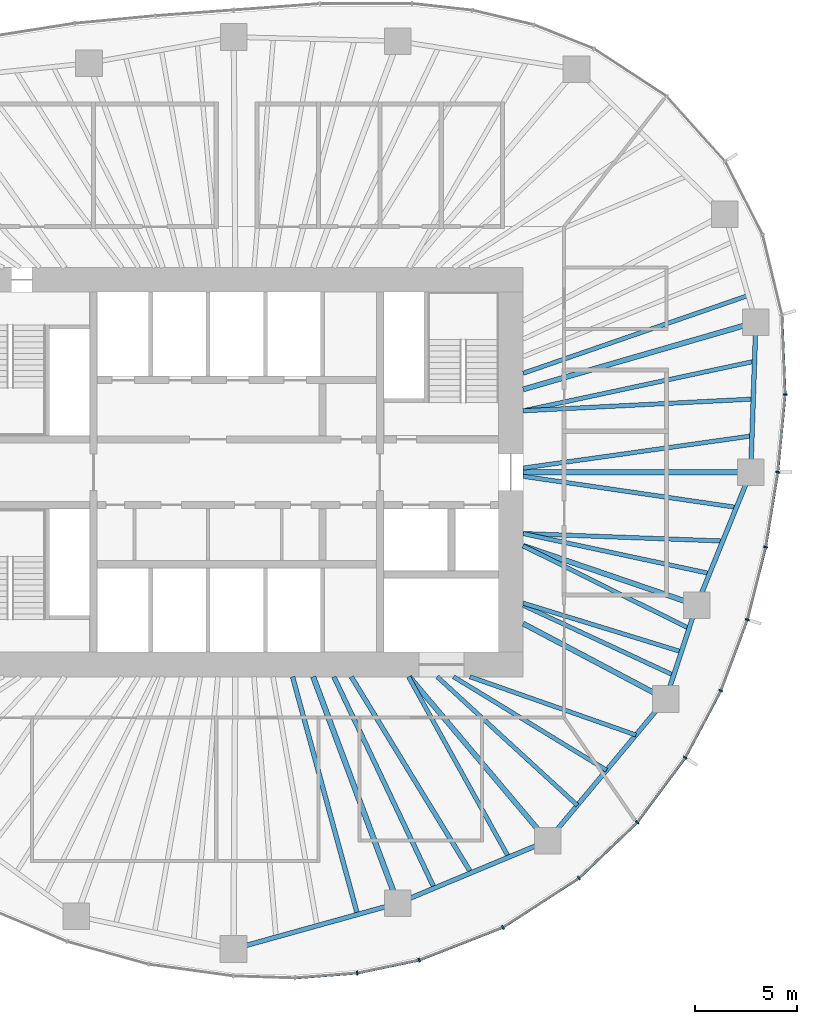
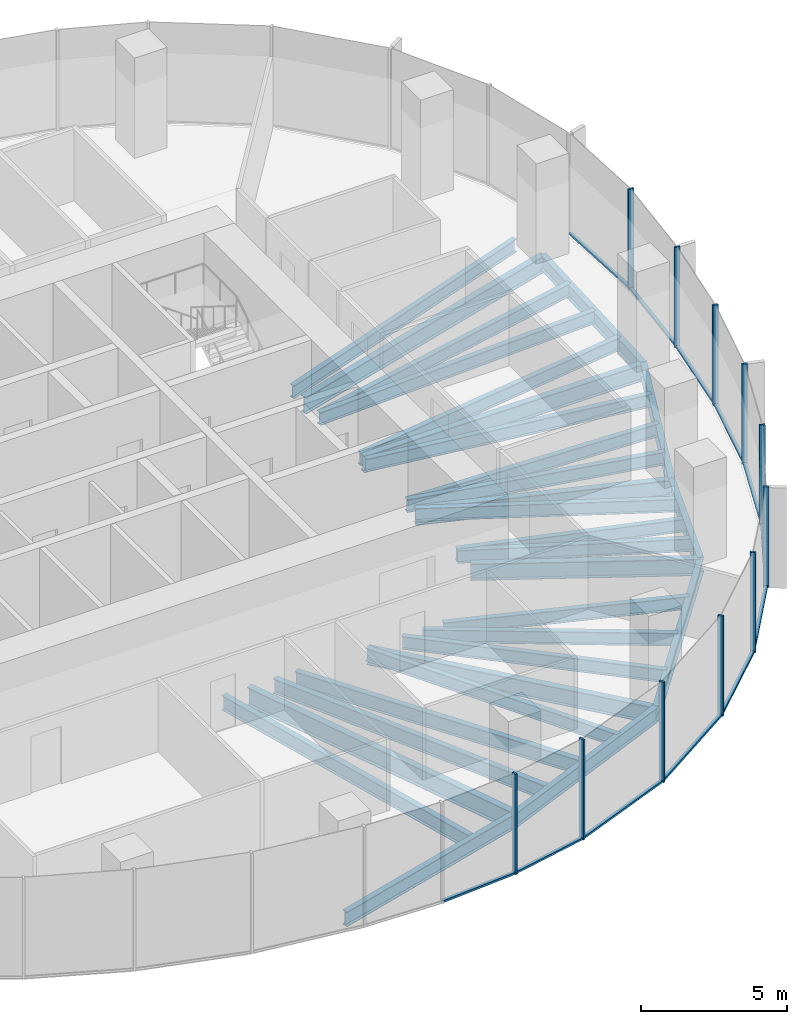
# One storey, part 4 of 11: 29 beams, 23 members, 6 elements without a shape of their own.
"""IFC4 building model written with IfcOpenShell, lengths in metres."""

import ifcopenshell
import ifcopenshell.guid

model = None  # the IFC model being written
_history = None  # IfcOwnerHistory: only IFC2X3 demands one
_inside = {}  # id of a spatial element -> (the spatial element, [elements in it])
_under = {}  # id of a project, library or spatial element -> (it, [spatial elements below it])
_declared = {}  # id of a project -> (the project, [libraries it declares])
_typed = {}  # id of a type object -> (the type object, [elements of that type])
_made_of = {}  # id of a material, layer set ... -> (it, [elements and type objects made of it])


def new_model(schema):
    """Start an empty IFC model of exactly this schema.

    Asked for "IFC4X3", IfcOpenShell would pick the latest addendum, in which some entities
    have other attributes; the version numbers below select the first issue.
    IFC2X3 requires an IfcOwnerHistory on every rooted entity: one is made here for all.
    """
    global model, _history
    if schema == "IFC4X3":
        model = ifcopenshell.file(schema_version=(4, 3, 0, 0))
    else:
        model = ifcopenshell.file(schema=schema)
    _inside.clear()
    _under.clear()
    _declared.clear()
    _typed.clear()
    _made_of.clear()
    _history = None
    if model.schema == "IFC2X3":
        org = make("IfcOrganization", Name="unknown")
        user = make(
            "IfcPersonAndOrganization",
            ThePerson=make("IfcPerson", FamilyName="unknown"),
            TheOrganization=org,
        )
        app = make(
            "IfcApplication",
            ApplicationDeveloper=org,
            Version="unknown",
            ApplicationFullName="unknown",
            ApplicationIdentifier="unknown",
        )
        _history = make(
            "IfcOwnerHistory",
            OwningUser=user,
            OwningApplication=app,
            ChangeAction="ADDED",
            CreationDate=0,
        )
    return model


def make(cls, **values):
    """One entity of the class cls with the attributes given. An attribute that is None is left unset."""
    return model.create_entity(
        cls, **{name: value for name, value in values.items() if value is not None}
    )


def rooted(cls, **values):
    """An entity with a GlobalId (a new one), such as an element, a storey or a relation."""
    return make(cls, GlobalId=ifcopenshell.guid.new(), OwnerHistory=_history, **values)


def si_unit(unit_type, name, prefix=None):
    """IfcSIUnit, for example si_unit("LENGTHUNIT", "METRE", prefix="MILLI")."""
    return make("IfcSIUnit", UnitType=unit_type, Prefix=prefix, Name=name)


def assignment(units):
    """IfcUnitAssignment: the units of a project."""
    return None if units is None else make("IfcUnitAssignment", Units=units)


def point(xyz):
    """IfcCartesianPoint."""
    return None if xyz is None else make("IfcCartesianPoint", Coordinates=xyz)


def direction(xyz):
    """IfcDirection."""
    return None if xyz is None else make("IfcDirection", DirectionRatios=xyz)


def frame(location, z_axis=None, x_axis=None):
    """IfcAxis2Placement3D, a coordinate frame: its origin and axes. An axis left out is left unset."""
    return make(
        "IfcAxis2Placement3D",
        Location=point(location),
        Axis=direction(z_axis),
        RefDirection=direction(x_axis),
    )


def frame_2d(location, x_axis=None):
    """IfcAxis2Placement2D, a coordinate frame in the plane: its origin and x axis."""
    return make(
        "IfcAxis2Placement2D", Location=point(location), RefDirection=direction(x_axis)
    )


def origin():
    """The frame at (0, 0, 0) with its axes left unset."""
    return frame((0.0, 0.0, 0.0))


def origin_2d():
    """The frame at (0, 0) in the plane with its x axis left unset."""
    return frame_2d((0.0, 0.0))


def place(relative_to, where):
    """IfcLocalPlacement: puts the frame where relative to a parent placement (None: the world)."""
    return make(
        "IfcLocalPlacement", PlacementRelTo=relative_to, RelativePlacement=where
    )


def context(
    kind, dimensions, precision=None, world=None, true_north=None, identifier=None
):
    """IfcGeometricRepresentationContext, for example the 3D "Model" context."""
    return make(
        "IfcGeometricRepresentationContext",
        ContextIdentifier=identifier,
        ContextType=kind,
        CoordinateSpaceDimension=dimensions,
        Precision=precision,
        WorldCoordinateSystem=world,
        TrueNorth=true_north,
    )


def subcontext(parent, identifier, kind, view, scale=None):
    """IfcGeometricRepresentationSubContext, for example "Body" below "Model"."""
    return make(
        "IfcGeometricRepresentationSubContext",
        ContextIdentifier=identifier,
        ContextType=kind,
        ParentContext=parent,
        TargetScale=scale,
        TargetView=view,
    )


def project(units=None, contexts=None):
    """IfcProject with its units and contexts."""
    return rooted(
        "IfcProject",
        Name="project",
        RepresentationContexts=contexts,
        UnitsInContext=assignment(units),
    )


def spatial(cls, under=None, at=None, **own):
    """A site, building, storey or space (cls), placed at a placement, below another one or the project."""
    s = rooted(cls, ObjectPlacement=at, **own)
    if under is not None:
        _under.setdefault(under.id(), (under, []))[1].append(s)
    return s


def profile(cls, at=None, kind="AREA", **sizes):
    """A parametric profile (cls). Its sizes go by their IFC names, for example OverallWidth=200.0."""
    return make(cls, ProfileType=kind, Position=at, **sizes)


def rectangle(**sizes):
    """IfcRectangleProfileDef."""
    return profile("IfcRectangleProfileDef", **sizes)


def i_section(**sizes):
    """IfcIShapeProfileDef."""
    return profile("IfcIShapeProfileDef", **sizes)


def extrude(swept, where, along, depth):
    """IfcExtrudedAreaSolid: the profile swept, set in the frame where, extruded along a direction by depth."""
    return make(
        "IfcExtrudedAreaSolid",
        SweptArea=swept,
        Position=where,
        ExtrudedDirection=direction(along),
        Depth=depth,
    )


def shape(context_of_items, identifier, shape_type, items):
    """IfcShapeRepresentation: the items that make up one representation, for example the "Body"."""
    return make(
        "IfcShapeRepresentation",
        ContextOfItems=context_of_items,
        RepresentationIdentifier=identifier,
        RepresentationType=shape_type,
        Items=items,
    )


def material(Name=None, Category=None):
    """IfcMaterial."""
    return make("IfcMaterial", Name=Name, Category=Category)


def material_profile(
    of_material, cross_section, Name=None, Category=None, Priority=None
):
    """IfcMaterialProfile: a cross section and its material."""
    return make(
        "IfcMaterialProfile",
        Name=Name,
        Material=of_material,
        Profile=cross_section,
        Priority=Priority,
        Category=Category,
    )


def profile_set(profiles, Name=None, composite=None):
    """IfcMaterialProfileSet."""
    return make(
        "IfcMaterialProfileSet",
        Name=Name,
        MaterialProfiles=profiles,
        CompositeProfile=composite,
    )


def made_of(thing, what):
    """Note that an element or type object is made of a material, layer set ...; save() writes the relation."""
    if what is not None:
        _made_of.setdefault(what.id(), (what, []))[1].append(thing)
    return thing


def type_object(cls, material=None, **own):
    """A type object (cls), such as IfcWallType, which elements share."""
    return made_of(rooted(cls, **own), material)


def element(
    cls,
    number,
    at=None,
    inside=None,
    cuts=None,
    type_object=None,
    material=None,
    context=None,
    identifier="Body",
    shape_type=None,
    held_by="IfcProductDefinitionShape",
    body=None,
    shapes=None,
    **own,
):
    """One element of the class cls, such as IfcWall. Its Tag is "e" and its number.

    at: its placement. inside: the storey or other place that contains it. cuts: it is an
    opening in that element (IfcRelVoidsElement). A single representation is given by context,
    identifier, shape_type and body (its items); several are given by shapes. held_by: the class
    of the entity that holds the representations. save() writes the other relations.
    """
    e = rooted(cls, Tag="e%d" % number, ObjectPlacement=at, **own)
    if body is not None:
        shapes = [shape(context, identifier, shape_type, body)]
    if shapes is not None:
        e.Representation = make(held_by, Representations=shapes)
    if inside is not None:
        _inside.setdefault(inside.id(), (inside, []))[1].append(e)
    if cuts is not None:
        rooted(
            "IfcRelVoidsElement", RelatingBuildingElement=cuts, RelatedOpeningElement=e
        )
    if type_object is not None:
        _typed.setdefault(type_object.id(), (type_object, []))[1].append(e)
    return made_of(e, material)


def aggregate(whole, parts):
    """IfcRelAggregates: a whole, such as a stair, and the parts it consists of."""
    return rooted("IfcRelAggregates", RelatingObject=whole, RelatedObjects=parts)


def save(model, path):
    """Write the relations noted so far, then the file.

    IfcRelAggregates (storeys below a building ...), IfcRelContainedInSpatialStructure (elements
    in a storey), IfcRelDefinesByType, IfcRelAssociatesMaterial and IfcRelDeclares: one each for
    every whole, place, type object, material and project.
    """
    for whole, parts in _under.values():
        aggregate(whole, parts)
    for where, things in _inside.values():
        rooted(
            "IfcRelContainedInSpatialStructure",
            RelatedElements=things,
            RelatingStructure=where,
        )
    for kind, things in _typed.values():
        rooted("IfcRelDefinesByType", RelatedObjects=things, RelatingType=kind)
    for what, things in _made_of.values():
        rooted("IfcRelAssociatesMaterial", RelatedObjects=things, RelatingMaterial=what)
    for by, libraries in _declared.values():
        rooted("IfcRelDeclares", RelatingContext=by, RelatedDefinitions=libraries)
    model.write(path)


model = new_model("IFC4")

# Units and contexts
model_context = context("Model", 3, precision=1e-05, world=origin(), true_north=direction((0.0, 1.0)))
body_context = subcontext(model_context, "Body", "Model", "MODEL_VIEW")
ifc_project = project(units=[si_unit("LENGTHUNIT", "METRE"), si_unit("AREAUNIT", "SQUARE_METRE"), si_unit("VOLUMEUNIT", "CUBIC_METRE"), si_unit("PLANEANGLEUNIT", "RADIAN"), si_unit("MASSUNIT", "GRAM", prefix="KILO")], contexts=[model_context])

# Site, building, storey
site_placement = place(None, origin())
site = spatial("IfcSite", under=ifc_project, at=site_placement, CompositionType="ELEMENT")
building_placement = place(site_placement, origin())
building = spatial("IfcBuilding", under=site, at=building_placement, Name="Ghaith Harvest Tower", CompositionType="ELEMENT")
storey_placement = place(building_placement, frame((0.0, 0.0, 220.0)))
storey = spatial("IfcBuildingStorey", under=building, at=storey_placement, Name="L48", CompositionType="ELEMENT", Elevation=220.0)

# Curtain wall, members
ifc_material_1 = material(Name="Black anodised aluminium and fritted glass", Category="aluminium")
curtain_wall_type = type_object("IfcCurtainWallType", Name="CW-H CURTAIN WALL", PredefinedType="NOTDEFINED", material=ifc_material_1)
curtain_wall_1_placement = place(storey_placement, origin())
curtain_wall_1 = element("IfcCurtainWall", 1, at=curtain_wall_1_placement, inside=storey, type_object=curtain_wall_type, Name="Curtain wall CW-H bay 01 L48", PredefinedType="NOTDEFINED")
ifc_material_2 = material(Name="Aluminium, black anodised", Category="aluminium")
ifc_material_profile_1 = material_profile(ifc_material_2, rectangle(XDim=0.080078125, YDim=0.199951171875, at=origin_2d()), Name="CW-H MULLION 80x200")
ifc_profile_set_1 = profile_set([ifc_material_profile_1], Name="Aluminium, black anodised")
member_type_1 = type_object("IfcMemberType", Name="CW-H MULLION 80x200", PredefinedType="MULLION", material=ifc_profile_set_1)
member_1_placement = place(storey_placement, frame((26.445068359375, 0.0, 0.0), z_axis=(0.0, 0.0, 1.0), x_axis=(0.126567624553, 0.991957981174, 0.0)))
member_1 = element("IfcMember", 2, at=member_1_placement, type_object=member_type_1, Name="CW-H mullion 1 bay 01 L48", PredefinedType="MULLION", context=body_context, shape_type="SweptSolid", body=[
    extrude(rectangle(XDim=0.080078125, YDim=0.199951171875, at=origin_2d()), origin(), (0.0, 0.0, 1.0), 4.199951171875),
])
member_2_placement = place(storey_placement, frame((26.804443359375, 3.7958984375, 0.0), z_axis=(0.0, 0.0, 1.0), x_axis=(0.026142797814, 0.999658218654, 0.0)))
member_2 = element("IfcMember", 3, at=member_2_placement, type_object=member_type_1, Name="CW-H mullion 2 bay 01 L48", PredefinedType="MULLION", context=body_context, shape_type="SweptSolid", body=[
    extrude(rectangle(XDim=0.080078125, YDim=0.199951171875, at=origin_2d()), origin(), (0.0, 0.0, 1.0), 4.199951171875),
])

# Curtain wall, member
curtain_wall_2_placement = place(storey_placement, origin())
curtain_wall_2 = element("IfcCurtainWall", 4, at=curtain_wall_2_placement, inside=storey, type_object=curtain_wall_type, Name="Curtain wall CW-H bay 16 L48", PredefinedType="NOTDEFINED")
member_3_placement = place(storey_placement, frame((5.893310546875, -24.48291015625, 0.0), z_axis=(0.0, 0.0, 1.0), x_axis=(0.989849191496, 0.142121701704, 0.0)))
member_3 = element("IfcMember", 5, at=member_3_placement, type_object=member_type_1, Name="CW-H mullion 3 bay 16 L48", PredefinedType="MULLION", context=body_context, shape_type="SweptSolid", body=[
    extrude(rectangle(XDim=0.080078125, YDim=0.199951171875, at=origin_2d()), origin(), (0.0, 0.0, 1.0), 4.199951171875),
])

# Curtain wall, members
curtain_wall_3_placement = place(storey_placement, origin())
curtain_wall_3 = element("IfcCurtainWall", 6, at=curtain_wall_3_placement, inside=storey, type_object=curtain_wall_type, Name="Curtain wall CW-H bay 17 L48", PredefinedType="NOTDEFINED")
member_4_placement = place(storey_placement, frame((8.916015625, -23.85009765625, 0.0), z_axis=(0.0, 0.0, 1.0), x_axis=(0.954029934434, 0.299711334793, 0.0)))
member_4 = element("IfcMember", 7, at=member_4_placement, type_object=member_type_1, Name="CW-H mullion 1 bay 17 L48", PredefinedType="MULLION", context=body_context, shape_type="SweptSolid", body=[
    extrude(rectangle(XDim=0.080078125, YDim=0.199951171875, at=origin_2d()), origin(), (0.0, 0.0, 1.0), 4.199951171875),
])
member_5_placement = place(storey_placement, frame((13.010009765625, -22.2470703125, 0.0), z_axis=(0.0, 0.0, 1.0), x_axis=(0.889568363425, 0.456802065225, 0.0)))
member_5 = element("IfcMember", 8, at=member_5_placement, type_object=member_type_1, Name="CW-H mullion 2 bay 17 L48", PredefinedType="MULLION", context=body_context, shape_type="SweptSolid", body=[
    extrude(rectangle(XDim=0.080078125, YDim=0.199951171875, at=origin_2d()), origin(), (0.0, 0.0, 1.0), 4.199951171875),
])

curtain_wall_4_placement = place(storey_placement, origin())
curtain_wall_4 = element("IfcCurtainWall", 9, at=curtain_wall_4_placement, inside=storey, type_object=curtain_wall_type, Name="Curtain wall CW-H bay 18 L48", PredefinedType="NOTDEFINED")
member_6_placement = place(storey_placement, frame((16.72900390625, -19.838134765625, 0.0), z_axis=(0.0, 0.0, 1.0), x_axis=(0.78784554071, 0.615872879727, 0.0)))
member_6 = element("IfcMember", 10, at=member_6_placement, type_object=member_type_1, Name="CW-H mullion 1 bay 18 L48", PredefinedType="MULLION", context=body_context, shape_type="SweptSolid", body=[
    extrude(rectangle(XDim=0.080078125, YDim=0.199951171875, at=origin_2d()), origin(), (0.0, 0.0, 1.0), 4.199951171875),
])
member_7_placement = place(storey_placement, frame((19.57421875, -17.11572265625, 0.0), z_axis=(0.0, 0.0, 1.0), x_axis=(0.661614965695, 0.749843741835, 0.0)))
member_7 = element("IfcMember", 11, at=member_7_placement, type_object=member_type_1, Name="CW-H mullion 2 bay 18 L48", PredefinedType="MULLION", context=body_context, shape_type="SweptSolid", body=[
    extrude(rectangle(XDim=0.080078125, YDim=0.199951171875, at=origin_2d()), origin(), (0.0, 0.0, 1.0), 4.199951171875),
])

curtain_wall_5_placement = place(storey_placement, origin())
curtain_wall_5 = element("IfcCurtainWall", 12, at=curtain_wall_5_placement, inside=storey, type_object=curtain_wall_type, Name="Curtain wall CW-H bay 19 L48", PredefinedType="NOTDEFINED")
member_8_placement = place(storey_placement, frame((21.922607421875, -13.951904296875, 0.0), z_axis=(0.0, 0.0, 1.0), x_axis=(0.535827198032, 0.844327669717, 0.0)))
member_8 = element("IfcMember", 13, at=member_8_placement, type_object=member_type_1, Name="CW-H mullion 1 bay 19 L48", PredefinedType="MULLION", context=body_context, shape_type="SweptSolid", body=[
    extrude(rectangle(XDim=0.080078125, YDim=0.199951171875, at=origin_2d()), origin(), (0.0, 0.0, 1.0), 4.199951171875),
])
member_9_placement = place(storey_placement, frame((23.658203125, -10.680419921875, 0.0), z_axis=(0.0, 0.0, 1.0), x_axis=(0.410429862351, 0.911892169114, 0.0)))
member_9 = element("IfcMember", 14, at=member_9_placement, type_object=member_type_1, Name="CW-H mullion 2 bay 19 L48", PredefinedType="MULLION", context=body_context, shape_type="SweptSolid", body=[
    extrude(rectangle(XDim=0.080078125, YDim=0.199951171875, at=origin_2d()), origin(), (0.0, 0.0, 1.0), 4.199951171875),
])

curtain_wall_6_placement = place(storey_placement, origin())
curtain_wall_6 = element("IfcCurtainWall", 15, at=curtain_wall_6_placement, inside=storey, type_object=curtain_wall_type, Name="Curtain wall CW-H bay 20 L48", PredefinedType="NOTDEFINED")
member_10_placement = place(storey_placement, frame((24.955810546875, -7.212890625, 0.0), z_axis=(0.0, 0.0, 1.0), x_axis=(0.298441625478, 0.954427889462, 0.0)))
member_10 = element("IfcMember", 16, at=member_10_placement, type_object=member_type_1, Name="CW-H mullion 1 bay 20 L48", PredefinedType="MULLION", context=body_context, shape_type="SweptSolid", body=[
    extrude(rectangle(XDim=0.080078125, YDim=0.199951171875, at=origin_2d()), origin(), (0.0, 0.0, 1.0), 4.199951171875),
])
member_11_placement = place(storey_placement, frame((25.85302734375, -3.6611328125, 0.0), z_axis=(0.0, 0.0, 1.0), x_axis=(0.202192370647, 0.979345825157, 0.0)))
member_11 = element("IfcMember", 17, at=member_11_placement, type_object=member_type_1, Name="CW-H mullion 2 bay 20 L48", PredefinedType="MULLION", context=body_context, shape_type="SweptSolid", body=[
    extrude(rectangle(XDim=0.080078125, YDim=0.199951171875, at=origin_2d()), origin(), (0.0, 0.0, 1.0), 4.199951171875),
])

# Member
ifc_material_3 = material(Name="Aluminium, black anodised", Category="aluminium")
ifc_material_profile_2 = material_profile(ifc_material_3, rectangle(XDim=0.1298828125, YDim=0.080078125, at=origin_2d()), Name="CW-H TRANSOM 130x80")
ifc_profile_set_2 = profile_set([ifc_material_profile_2], Name="Aluminium, black anodised")
member_type_2 = type_object("IfcMemberType", Name="CW-H TRANSOM 130x80", PredefinedType="USERDEFINED", material=ifc_profile_set_2)
member_12_placement = place(storey_placement, frame((26.44873046875, 0.039794921875, 0.0400390625), z_axis=(0.094309089207, 0.995542965267, 0.0), x_axis=(-0.995542965267, 0.094309089207, 0.0)))
member_12 = element("IfcMember", 18, at=member_12_placement, type_object=member_type_2, Name="CW-H transom 1 bay 01 L48", ObjectType="TRANSOM", PredefinedType="USERDEFINED", context=body_context, shape_type="SweptSolid", body=[
    extrude(rectangle(XDim=0.1298828125, YDim=0.080078125, at=origin_2d()), origin(), (0.0, 0.0, 1.0), 3.73291015625),
])

member_13_placement = place(storey_placement, frame((26.802978515625, 3.8359375, 0.0400390625), z_axis=(-0.040492641284, 0.999179836667, 0.0), x_axis=(-0.999179836667, -0.040492641284, 0.0)))
member_13 = element("IfcMember", 19, at=member_13_placement, type_object=member_type_2, Name="CW-H transom 2 bay 01 L48", ObjectType="TRANSOM", PredefinedType="USERDEFINED", context=body_context, shape_type="SweptSolid", body=[
    extrude(rectangle(XDim=0.1298828125, YDim=0.080078125, at=origin_2d()), origin(), (0.0, 0.0, 1.0), 3.82861328125),
])

aggregate(curtain_wall_1, [member_1, member_12, member_2, member_13])

member_14_placement = place(storey_placement, frame((2.8876953125, -24.71826171875, 0.0400390625), z_axis=(0.996949781933, 0.078045706505, 0.0), x_axis=(-0.078045706505, 0.996949781933, 0.0)))
member_14 = element("IfcMember", 20, at=member_14_placement, type_object=member_type_2, Name="CW-H transom 2 bay 16 L48", ObjectType="TRANSOM", PredefinedType="USERDEFINED", context=body_context, shape_type="SweptSolid", body=[
    extrude(rectangle(XDim=0.1298828125, YDim=0.080078125, at=origin_2d()), origin(), (0.0, 0.0, 1.0), 2.974853515625),
])

member_15_placement = place(storey_placement, frame((5.932373046875, -24.474609375, 0.0400390625), z_axis=(0.978797058213, 0.204832416461, 0.0), x_axis=(-0.204832416461, 0.978797058213, 0.0)))
member_15 = element("IfcMember", 21, at=member_15_placement, type_object=member_type_2, Name="CW-H transom 3 bay 16 L48", ObjectType="TRANSOM", PredefinedType="USERDEFINED", context=body_context, shape_type="SweptSolid", body=[
    extrude(rectangle(XDim=0.1298828125, YDim=0.080078125, at=origin_2d()), origin(), (0.0, 0.0, 1.0), 3.00830078125),
])

aggregate(curtain_wall_2, [member_14, member_3, member_15])

member_16_placement = place(storey_placement, frame((8.953369140625, -23.835693359375, 0.0400390625), z_axis=(0.931147615871, 0.364642451529, 0.0), x_axis=(-0.364642451529, 0.931147615871, 0.0)))
member_16 = element("IfcMember", 22, at=member_16_placement, type_object=member_type_2, Name="CW-H transom 1 bay 17 L48", ObjectType="TRANSOM", PredefinedType="USERDEFINED", context=body_context, shape_type="SweptSolid", body=[
    extrude(rectangle(XDim=0.1298828125, YDim=0.080078125, at=origin_2d()), origin(), (0.0, 0.0, 1.0), 4.31640625),
])

member_17_placement = place(storey_placement, frame((13.04345703125, -22.225341796875, 0.0400390625), z_axis=(0.839306610985, 0.543658360331, 0.0), x_axis=(-0.543658360331, 0.839306610985, 0.0)))
member_17 = element("IfcMember", 23, at=member_17_placement, type_object=member_type_2, Name="CW-H transom 2 bay 17 L48", ObjectType="TRANSOM", PredefinedType="USERDEFINED", context=body_context, shape_type="SweptSolid", body=[
    extrude(rectangle(XDim=0.1298828125, YDim=0.080078125, at=origin_2d()), origin(), (0.0, 0.0, 1.0), 4.35107421875),
])

aggregate(curtain_wall_3, [member_4, member_16, member_5, member_17])

member_18_placement = place(storey_placement, frame((16.7578125, -19.810546875, 0.0400390625), z_axis=(0.722533278657, 0.691336141998, 0.0), x_axis=(-0.691336141998, 0.722533278657, 0.0)))
member_18 = element("IfcMember", 24, at=member_18_placement, type_object=member_type_2, Name="CW-H transom 1 bay 18 L48", ObjectType="TRANSOM", PredefinedType="USERDEFINED", context=body_context, shape_type="SweptSolid", body=[
    extrude(rectangle(XDim=0.1298828125, YDim=0.080078125, at=origin_2d()), origin(), (0.0, 0.0, 1.0), 3.858154296875),
])

member_19_placement = place(storey_placement, frame((19.59814453125, -17.083740234375, 0.0400390625), z_axis=(0.595995597074, 0.802987701194, 0.0), x_axis=(-0.802987701194, 0.595995597074, 0.0)))
member_19 = element("IfcMember", 25, at=member_19_placement, type_object=member_type_2, Name="CW-H transom 2 bay 18 L48", ObjectType="TRANSOM", PredefinedType="USERDEFINED", context=body_context, shape_type="SweptSolid", body=[
    extrude(rectangle(XDim=0.1298828125, YDim=0.080078125, at=origin_2d()), origin(), (0.0, 0.0, 1.0), 3.8603515625),
])

aggregate(curtain_wall_4, [member_6, member_18, member_7, member_19])

member_20_placement = place(storey_placement, frame((21.94140625, -13.91650390625, 0.0400390625), z_axis=(0.468646057757, 0.883386026915, 0.0), x_axis=(-0.883386026915, 0.468646057757, 0.0)))
member_20 = element("IfcMember", 26, at=member_20_placement, type_object=member_type_2, Name="CW-H transom 1 bay 19 L48", ObjectType="TRANSOM", PredefinedType="USERDEFINED", context=body_context, shape_type="SweptSolid", body=[
    extrude(rectangle(XDim=0.1298828125, YDim=0.080078125, at=origin_2d()), origin(), (0.0, 0.0, 1.0), 3.623291015625),
])

member_21_placement = place(storey_placement, frame((23.672119140625, -10.64306640625, 0.0400390625), z_axis=(0.350510368091, 0.936558851253, 0.0), x_axis=(-0.936558851253, 0.350510368091, 0.0)))
member_21 = element("IfcMember", 27, at=member_21_placement, type_object=member_type_2, Name="CW-H transom 2 bay 19 L48", ObjectType="TRANSOM", PredefinedType="USERDEFINED", context=body_context, shape_type="SweptSolid", body=[
    extrude(rectangle(XDim=0.1298828125, YDim=0.080078125, at=origin_2d()), origin(), (0.0, 0.0, 1.0), 3.62255859375),
])

aggregate(curtain_wall_5, [member_8, member_20, member_9, member_21])

member_22_placement = place(storey_placement, frame((24.965576171875, -7.174072265625, 0.0400390625), z_axis=(0.244939588347, 0.969538342749, 0.0), x_axis=(-0.969538342749, 0.244939588347, 0.0)))
member_22 = element("IfcMember", 28, at=member_22_placement, type_object=member_type_2, Name="CW-H transom 1 bay 20 L48", ObjectType="TRANSOM", PredefinedType="USERDEFINED", context=body_context, shape_type="SweptSolid", body=[
    extrude(rectangle(XDim=0.1298828125, YDim=0.080078125, at=origin_2d()), origin(), (0.0, 0.0, 1.0), 3.583251953125),
])

member_23_placement = place(storey_placement, frame((25.859375, -3.62158203125, 0.0400390625), z_axis=(0.159661845696, 0.987171765717, 0.0), x_axis=(-0.987171765717, 0.159661845696, 0.0)))
member_23 = element("IfcMember", 29, at=member_23_placement, type_object=member_type_2, Name="CW-H transom 2 bay 20 L48", ObjectType="TRANSOM", PredefinedType="USERDEFINED", context=body_context, shape_type="SweptSolid", body=[
    extrude(rectangle(XDim=0.1298828125, YDim=0.080078125, at=origin_2d()), origin(), (0.0, 0.0, 1.0), 3.628662109375),
])

aggregate(curtain_wall_6, [member_10, member_22, member_11, member_23])

# Beams
ifc_material_4 = material(Name="Steel ASTM A992 Grade 50", Category="steel")
ifc_material_profile_3 = material_profile(ifc_material_4, i_section(OverallWidth=0.22900390625, OverallDepth=0.612060546875, WebThickness=0.011962890625, FlangeThickness=0.01953125, at=origin_2d()), Name="W610X125")
ifc_profile_set_3 = profile_set([ifc_material_profile_3], Name="Steel ASTM A992 Grade 50")
beam_type_1 = type_object("IfcBeamType", Name="E610-125 W610X125", PredefinedType="SPANDREL", material=ifc_profile_set_3)
beam_1_placement = place(storey_placement, frame((25.125, 0.0, -0.47607421875), z_axis=(0.03446227584, 0.999405999354, 0.0), x_axis=(-0.999405999354, 0.03446227584, 0.0)))
element("IfcBeam", 30, at=beam_1_placement, inside=storey, type_object=beam_type_1, Name="Edge beam E01 L48", PredefinedType="SPANDREL", context=body_context, shape_type="SweptSolid", body=[
    extrude(i_section(OverallWidth=0.22900390625, OverallDepth=0.612060546875, WebThickness=0.011962890625, FlangeThickness=0.01953125, at=origin_2d()), origin(), (0.0, 0.0, 1.0), 7.33935546875),
])
beam_2_placement = place(storey_placement, frame((-0.158935546875, -23.304931640625, -0.47607421875), z_axis=(0.963504070594, 0.267693679323, 0.0), x_axis=(-0.267693679323, 0.963504070594, 0.0)))
element("IfcBeam", 31, at=beam_2_placement, inside=storey, type_object=beam_type_1, Name="Edge beam E16 L48", PredefinedType="SPANDREL", context=body_context, shape_type="SweptSolid", body=[
    extrude(i_section(OverallWidth=0.22900390625, OverallDepth=0.612060546875, WebThickness=0.011962890625, FlangeThickness=0.01953125, at=origin_2d()), origin(), (0.0, 0.0, 1.0), 8.34130859375),
])
beam_3_placement = place(storey_placement, frame((7.8779296875, -21.072021484375, -0.47607421875), z_axis=(0.923119729219, 0.384512633766, 0.0), x_axis=(-0.384512633766, 0.923119729219, 0.0)))
element("IfcBeam", 32, at=beam_3_placement, inside=storey, type_object=beam_type_1, Name="Edge beam E17 L48", PredefinedType="SPANDREL", context=body_context, shape_type="SweptSolid", body=[
    extrude(i_section(OverallWidth=0.22900390625, OverallDepth=0.612060546875, WebThickness=0.011962890625, FlangeThickness=0.01953125, at=origin_2d()), origin(), (0.0, 0.0, 1.0), 7.9296875),
])
beam_4_placement = place(storey_placement, frame((15.197998046875, -18.02294921875, -0.47607421875), z_axis=(0.640173759088, 0.76823014662, 0.0), x_axis=(-0.76823014662, 0.640173759088, 0.0)))
element("IfcBeam", 33, at=beam_4_placement, inside=storey, type_object=beam_type_1, Name="Edge beam E18 L48", PredefinedType="SPANDREL", context=body_context, shape_type="SweptSolid", body=[
    extrude(i_section(OverallWidth=0.22900390625, OverallDepth=0.612060546875, WebThickness=0.011962890625, FlangeThickness=0.01953125, at=origin_2d()), origin(), (0.0, 0.0, 1.0), 9.02734375),
])
beam_5_placement = place(storey_placement, frame((20.97705078125, -11.087890625, -0.47607421875), z_axis=(0.312206727278, 0.950014189074, 0.0), x_axis=(-0.950014189074, 0.312206727278, 0.0)))
element("IfcBeam", 34, at=beam_5_placement, inside=storey, type_object=beam_type_1, Name="Edge beam E19 L48", PredefinedType="SPANDREL", context=body_context, shape_type="SweptSolid", body=[
    extrude(i_section(OverallWidth=0.22900390625, OverallDepth=0.612060546875, WebThickness=0.011962890625, FlangeThickness=0.01953125, at=origin_2d()), origin(), (0.0, 0.0, 1.0), 4.830322265625),
])
beam_6_placement = place(storey_placement, frame((22.485107421875, -6.4990234375, -0.47607421875), z_axis=(0.376335970246, 0.926483263475, 0.0), x_axis=(-0.926483263475, 0.376335970246, 0.0)))
element("IfcBeam", 35, at=beam_6_placement, inside=storey, type_object=beam_type_1, Name="Edge beam E20 L48", PredefinedType="SPANDREL", context=body_context, shape_type="SweptSolid", body=[
    extrude(i_section(OverallWidth=0.22900390625, OverallDepth=0.612060546875, WebThickness=0.011962890625, FlangeThickness=0.01953125, at=origin_2d()), origin(), (0.0, 0.0, 1.0), 7.0146484375),
])
ifc_material_5 = material(Name="Steel ASTM A992 Grade 50", Category="steel")
ifc_material_profile_4 = material_profile(ifc_material_5, i_section(OverallWidth=0.256103515625, OverallDepth=0.693115234375, WebThickness=0.014404296875, FlangeThickness=0.023681640625, at=origin_2d()), Name="W690X170")
ifc_profile_set_4 = profile_set([ifc_material_profile_4], Name="Steel ASTM A992 Grade 50")
beam_type_2 = type_object("IfcBeamType", Name="G690-170 W690X170", PredefinedType="BEAM", material=ifc_profile_set_4)
beam_7_placement = place(storey_placement, frame((14.0, 0.0, -0.5166015625), z_axis=(1.0, 0.0, 0.0), x_axis=(0.0, 1.0, 0.0)))
element("IfcBeam", 36, at=beam_7_placement, inside=storey, type_object=beam_type_2, Name="Radial girder G01 L48", PredefinedType="BEAM", context=body_context, shape_type="SweptSolid", body=[
    extrude(i_section(OverallWidth=0.256103515625, OverallDepth=0.693115234375, WebThickness=0.014404296875, FlangeThickness=0.023681640625, at=origin_2d()), origin(), (0.0, 0.0, 1.0), 11.125),
])
beam_8_placement = place(storey_placement, frame((14.0, 4.04638671875, -0.5166015625), z_axis=(0.960677776578, 0.277665643518, 0.0), x_axis=(-0.277665643518, 0.960677776578, 0.0)))
element("IfcBeam", 37, at=beam_8_placement, inside=storey, type_object=beam_type_2, Name="Radial girder G02 L48", PredefinedType="BEAM", context=body_context, shape_type="SweptSolid", body=[
    extrude(i_section(OverallWidth=0.256103515625, OverallDepth=0.693115234375, WebThickness=0.014404296875, FlangeThickness=0.023681640625, at=origin_2d()), origin(), (0.0, 0.0, 1.0), 11.84375),
])
beam_9_placement = place(storey_placement, frame((8.4326171875, -10.0, -0.5166015625), z_axis=(0.644649240595, -0.764478486682, 0.0), x_axis=(0.764478486682, 0.644649240595, 0.0)))
element("IfcBeam", 38, at=beam_9_placement, inside=storey, type_object=beam_type_2, Name="Radial girder G18 L48", PredefinedType="BEAM", context=body_context, shape_type="SweptSolid", body=[
    extrude(i_section(OverallWidth=0.256103515625, OverallDepth=0.693115234375, WebThickness=0.014404296875, FlangeThickness=0.023681640625, at=origin_2d()), origin(), (0.0, 0.0, 1.0), 10.49462890625),
])
beam_10_placement = place(storey_placement, frame((14.0, -7.39990234375, -0.5166015625), z_axis=(0.884088732293, -0.467319070264, 0.0), x_axis=(0.467319070264, 0.884088732293, 0.0)))
element("IfcBeam", 39, at=beam_10_placement, inside=storey, type_object=beam_type_2, Name="Radial girder G19 L48", PredefinedType="BEAM", context=body_context, shape_type="SweptSolid", body=[
    extrude(i_section(OverallWidth=0.256103515625, OverallDepth=0.693115234375, WebThickness=0.014404296875, FlangeThickness=0.023681640625, at=origin_2d()), origin(), (0.0, 0.0, 1.0), 7.891845703125),
])
beam_11_placement = place(storey_placement, frame((14.0, -3.60009765625, -0.5166015625), z_axis=(0.94629622913, -0.323300861018, 0.0), x_axis=(0.323300861018, 0.94629622913, 0.0)))
element("IfcBeam", 40, at=beam_11_placement, inside=storey, type_object=beam_type_2, Name="Radial girder G20 L48", PredefinedType="BEAM", context=body_context, shape_type="SweptSolid", body=[
    extrude(i_section(OverallWidth=0.256103515625, OverallDepth=0.693115234375, WebThickness=0.014404296875, FlangeThickness=0.023681640625, at=origin_2d()), origin(), (0.0, 0.0, 1.0), 8.966552734375),
])
ifc_material_6 = material(Name="Steel ASTM A992 Grade 50", Category="steel")
ifc_material_profile_5 = material_profile(ifc_material_6, i_section(OverallWidth=0.26806640625, OverallDepth=0.77001953125, WebThickness=0.015625, FlangeThickness=0.025390625, at=origin_2d()), Name="W760X196")
ifc_profile_set_5 = profile_set([ifc_material_profile_5], Name="Steel ASTM A992 Grade 50")
beam_type_3 = type_object("IfcBeamType", Name="G760-196 W760X196", PredefinedType="BEAM", material=ifc_profile_set_5)
beam_12_placement = place(storey_placement, frame((3.73828125, -10.0, -0.554931640625), z_axis=(0.350206582147, -0.936672488024, 0.0), x_axis=(0.936672488024, 0.350206582147, 0.0)))
element("IfcBeam", 41, at=beam_12_placement, inside=storey, type_object=beam_type_3, Name="Radial girder G17 L48", PredefinedType="BEAM", context=body_context, shape_type="SweptSolid", body=[
    extrude(i_section(OverallWidth=0.26806640625, OverallDepth=0.77001953125, WebThickness=0.015625, FlangeThickness=0.025390625, at=origin_2d()), origin(), (0.0, 0.0, 1.0), 11.820556640625),
])
ifc_material_7 = material(Name="Steel ASTM A992 Grade 50", Category="steel")
ifc_material_profile_6 = material_profile(ifc_material_7, i_section(OverallWidth=0.2109375, OverallDepth=0.5390625, WebThickness=0.01171875, FlangeThickness=0.018798828125, at=origin_2d()), Name="W530X109")
ifc_profile_set_6 = profile_set([ifc_material_profile_6], Name="Steel ASTM A992 Grade 50")
beam_type_4 = type_object("IfcBeamType", Name="J530-109 W530X109", PredefinedType="JOIST", material=ifc_profile_set_6)
beam_13_placement = place(storey_placement, frame((14.0, 0.199951171875, -0.439453125), z_axis=(0.990239574724, 0.139375696052, 0.0), x_axis=(-0.139375696052, 0.990239574724, 0.0)))
element("IfcBeam", 42, at=beam_13_placement, inside=storey, type_object=beam_type_4, Name="Joist J01.1 L48", PredefinedType="JOIST", context=body_context, shape_type="SweptSolid", body=[
    extrude(i_section(OverallWidth=0.2109375, OverallDepth=0.5390625, WebThickness=0.01171875, FlangeThickness=0.018798828125, at=origin_2d()), origin(), (0.0, 0.0, 1.0), 11.296630859375),
])
beam_14_placement = place(storey_placement, frame((14.0, 3.0, -0.439453125), z_axis=(0.998693995267, 0.051091132482, 0.0), x_axis=(-0.051091132482, 0.998693995267, 0.0)))
element("IfcBeam", 43, at=beam_14_placement, inside=storey, type_object=beam_type_4, Name="Joist J01.2 L48", PredefinedType="JOIST", context=body_context, shape_type="SweptSolid", body=[
    extrude(i_section(OverallWidth=0.2109375, OverallDepth=0.5390625, WebThickness=0.01171875, FlangeThickness=0.018798828125, at=origin_2d()), origin(), (0.0, 0.0, 1.0), 11.262939453125),
])
beam_15_placement = place(storey_placement, frame((14.0, 3.0, -0.439453125), z_axis=(0.977840076912, 0.209353251672, 0.0), x_axis=(-0.209353251672, 0.977840076912, 0.0)))
element("IfcBeam", 44, at=beam_15_placement, inside=storey, type_object=beam_type_4, Name="Joist J01.3 L48", PredefinedType="JOIST", context=body_context, shape_type="SweptSolid", body=[
    extrude(i_section(OverallWidth=0.2109375, OverallDepth=0.5390625, WebThickness=0.01171875, FlangeThickness=0.018798828125, at=origin_2d()), origin(), (0.0, 0.0, 1.0), 11.568359375),
])
beam_16_placement = place(storey_placement, frame((14.0, 4.835693359375, -0.439453125), z_axis=(0.945202328042, 0.326485159025, 0.0), x_axis=(-0.326485159025, 0.945202328042, 0.0)))
element("IfcBeam", 45, at=beam_16_placement, inside=storey, type_object=beam_type_4, Name="Joist J02.1 L48", PredefinedType="JOIST", context=body_context, shape_type="SweptSolid", body=[
    extrude(i_section(OverallWidth=0.2109375, OverallDepth=0.5390625, WebThickness=0.01171875, FlangeThickness=0.018798828125, at=origin_2d()), origin(), (0.0, 0.0, 1.0), 11.63916015625),
])
beam_17_placement = place(storey_placement, frame((8.39990234375, -10.0, -0.439453125), z_axis=(0.484919107871, -0.874559008199, 0.0), x_axis=(0.874559008199, 0.484919107871, 0.0)))
element("IfcBeam", 46, at=beam_17_placement, inside=storey, type_object=beam_type_4, Name="Joist J17.3 L48", PredefinedType="JOIST", context=body_context, shape_type="SweptSolid", body=[
    extrude(i_section(OverallWidth=0.2109375, OverallDepth=0.5390625, WebThickness=0.01171875, FlangeThickness=0.018798828125, at=origin_2d()), origin(), (0.0, 0.0, 1.0), 10.0830078125),
])
beam_18_placement = place(storey_placement, frame((9.800048828125, -10.0, -0.439453125), z_axis=(0.736998187228, -0.675894719629, 0.0), x_axis=(0.675894719629, 0.736998187228, 0.0)))
element("IfcBeam", 47, at=beam_18_placement, inside=storey, type_object=beam_type_4, Name="Joist J18.1 L48", PredefinedType="JOIST", context=body_context, shape_type="SweptSolid", body=[
    extrude(i_section(OverallWidth=0.2109375, OverallDepth=0.5390625, WebThickness=0.01171875, FlangeThickness=0.018798828125, at=origin_2d()), origin(), (0.0, 0.0, 1.0), 9.293701171875),
])
beam_19_placement = place(storey_placement, frame((14.0, -3.0, -0.439453125), z_axis=(0.977841497168, -0.209346617877, 0.0), x_axis=(0.209346617877, 0.977841497168, 0.0)))
element("IfcBeam", 48, at=beam_19_placement, inside=storey, type_object=beam_type_4, Name="Joist J20.1 L48", PredefinedType="JOIST", context=body_context, shape_type="SweptSolid", body=[
    extrude(i_section(OverallWidth=0.2109375, OverallDepth=0.5390625, WebThickness=0.01171875, FlangeThickness=0.018798828125, at=origin_2d()), origin(), (0.0, 0.0, 1.0), 9.3203125),
])
beam_20_placement = place(storey_placement, frame((14.0, -3.0, -0.439453125), z_axis=(0.999303105315, -0.037326983644, 0.0), x_axis=(0.037326983644, 0.999303105315, 0.0)))
element("IfcBeam", 49, at=beam_20_placement, inside=storey, type_object=beam_type_4, Name="Joist J20.2 L48", PredefinedType="JOIST", context=body_context, shape_type="SweptSolid", body=[
    extrude(i_section(OverallWidth=0.2109375, OverallDepth=0.5390625, WebThickness=0.01171875, FlangeThickness=0.018798828125, at=origin_2d()), origin(), (0.0, 0.0, 1.0), 9.76513671875),
])
beam_21_placement = place(storey_placement, frame((14.0, -0.199951171875, -0.439453125), z_axis=(0.989525259022, -0.144359834294, 0.0), x_axis=(0.144359834294, 0.989525259022, 0.0)))
element("IfcBeam", 50, at=beam_21_placement, inside=storey, type_object=beam_type_4, Name="Joist J20.3 L48", PredefinedType="JOIST", context=body_context, shape_type="SweptSolid", body=[
    extrude(i_section(OverallWidth=0.2109375, OverallDepth=0.5390625, WebThickness=0.01171875, FlangeThickness=0.018798828125, at=origin_2d()), origin(), (0.0, 0.0, 1.0), 10.5361328125),
])
ifc_material_8 = material(Name="Steel ASTM A992 Grade 50", Category="steel")
ifc_material_profile_7 = material_profile(ifc_material_8, i_section(OverallWidth=0.208984375, OverallDepth=0.532958984375, WebThickness=0.01025390625, FlangeThickness=0.015625, at=origin_2d()), Name="W530X92")
ifc_profile_set_7 = profile_set([ifc_material_profile_7], Name="Steel ASTM A992 Grade 50")
beam_type_5 = type_object("IfcBeamType", Name="J530-92 W530X92", PredefinedType="JOIST", material=ifc_profile_set_7)
beam_22_placement = place(storey_placement, frame((10.60009765625, -10.0, -0.4365234375), z_axis=(0.853467052113, -0.521146803654, 0.0), x_axis=(0.521146803654, 0.853467052113, 0.0)))
element("IfcBeam", 51, at=beam_22_placement, inside=storey, type_object=beam_type_5, Name="Joist J18.2 L48", PredefinedType="JOIST", context=body_context, shape_type="SweptSolid", body=[
    extrude(i_section(OverallWidth=0.208984375, OverallDepth=0.532958984375, WebThickness=0.01025390625, FlangeThickness=0.015625, at=origin_2d()), origin(), (0.0, 0.0, 1.0), 8.76220703125),
])
beam_23_placement = place(storey_placement, frame((11.39990234375, -10.0, -0.4365234375), z_axis=(0.943605274188, -0.331072630285, 0.0), x_axis=(0.331072630285, 0.943605274188, 0.0)))
element("IfcBeam", 52, at=beam_23_placement, inside=storey, type_object=beam_type_5, Name="Joist J18.3 L48", PredefinedType="JOIST", context=body_context, shape_type="SweptSolid", body=[
    extrude(i_section(OverallWidth=0.208984375, OverallDepth=0.532958984375, WebThickness=0.01025390625, FlangeThickness=0.015625, at=origin_2d()), origin(), (0.0, 0.0, 1.0), 8.596923828125),
])
beam_24_placement = place(storey_placement, frame((14.0, -6.506103515625, -0.4365234375), z_axis=(0.906865270415, -0.421420670251, 0.0), x_axis=(0.421420670251, 0.906865270415, 0.0)))
element("IfcBeam", 53, at=beam_24_placement, inside=storey, type_object=beam_type_5, Name="Joist J19.1 L48", PredefinedType="JOIST", context=body_context, shape_type="SweptSolid", body=[
    extrude(i_section(OverallWidth=0.208984375, OverallDepth=0.532958984375, WebThickness=0.01025390625, FlangeThickness=0.015625, at=origin_2d()), origin(), (0.0, 0.0, 1.0), 8.11474609375),
])
beam_25_placement = place(storey_placement, frame((14.0, -6.39990234375, -0.4365234375), z_axis=(0.955870927609, -0.293786946192, 0.0), x_axis=(0.293786946192, 0.955870927609, 0.0)))
element("IfcBeam", 54, at=beam_25_placement, inside=storey, type_object=beam_type_5, Name="Joist J19.2 L48", PredefinedType="JOIST", context=body_context, shape_type="SweptSolid", body=[
    extrude(i_section(OverallWidth=0.208984375, OverallDepth=0.532958984375, WebThickness=0.01025390625, FlangeThickness=0.015625, at=origin_2d()), origin(), (0.0, 0.0, 1.0), 8.09326171875),
])
beam_26_placement = place(storey_placement, frame((14.0, -3.60009765625, -0.4365234375), z_axis=(0.89523949078, -0.445585293909, 0.0), x_axis=(0.445585293909, 0.89523949078, 0.0)))
element("IfcBeam", 55, at=beam_26_placement, inside=storey, type_object=beam_type_5, Name="Joist J19.3 L48", PredefinedType="JOIST", context=body_context, shape_type="SweptSolid", body=[
    extrude(i_section(OverallWidth=0.208984375, OverallDepth=0.532958984375, WebThickness=0.01025390625, FlangeThickness=0.015625, at=origin_2d()), origin(), (0.0, 0.0, 1.0), 9.060302734375),
])
ifc_material_9 = material(Name="Steel ASTM A992 Grade 50", Category="steel")
ifc_material_profile_8 = material_profile(ifc_material_9, i_section(OverallWidth=0.22900390625, OverallDepth=0.612060546875, WebThickness=0.011962890625, FlangeThickness=0.01953125, at=origin_2d()), Name="W610X125")
ifc_profile_set_8 = profile_set([ifc_material_profile_8], Name="Steel ASTM A992 Grade 50")
beam_type_6 = type_object("IfcBeamType", Name="J610-125 W610X125", PredefinedType="JOIST", material=ifc_profile_set_8)
beam_27_placement = place(storey_placement, frame((2.73095703125, -10.0, -0.47607421875), z_axis=(0.263456947705, -0.964671154698, 0.0), x_axis=(0.964671154698, 0.263456947705, 0.0)))
element("IfcBeam", 56, at=beam_27_placement, inside=storey, type_object=beam_type_6, Name="Joist J16.3 L48", PredefinedType="JOIST", context=body_context, shape_type="SweptSolid", body=[
    extrude(i_section(OverallWidth=0.22900390625, OverallDepth=0.612060546875, WebThickness=0.011962890625, FlangeThickness=0.01953125, at=origin_2d()), origin(), (0.0, 0.0, 1.0), 12.0458984375),
])
beam_28_placement = place(storey_placement, frame((4.75, -10.0, -0.47607421875), z_axis=(0.429080762264, -0.90326612881, 0.0), x_axis=(0.90326612881, 0.429080762264, 0.0)))
element("IfcBeam", 57, at=beam_28_placement, inside=storey, type_object=beam_type_6, Name="Joist J17.1 L48", PredefinedType="JOIST", context=body_context, shape_type="SweptSolid", body=[
    extrude(i_section(OverallWidth=0.22900390625, OverallDepth=0.612060546875, WebThickness=0.011962890625, FlangeThickness=0.01953125, at=origin_2d()), origin(), (0.0, 0.0, 1.0), 11.437255859375),
])
beam_29_placement = place(storey_placement, frame((5.60009765625, -10.0, -0.47607421875), z_axis=(0.521165912119, -0.853455383746, 0.0), x_axis=(0.853455383746, 0.521165912119, 0.0)))
element("IfcBeam", 58, at=beam_29_placement, inside=storey, type_object=beam_type_6, Name="Joist J17.2 L48", PredefinedType="JOIST", context=body_context, shape_type="SweptSolid", body=[
    extrude(i_section(OverallWidth=0.22900390625, OverallDepth=0.612060546875, WebThickness=0.011962890625, FlangeThickness=0.01953125, at=origin_2d()), origin(), (0.0, 0.0, 1.0), 11.228759765625),
])

save(model, "model.ifc")
